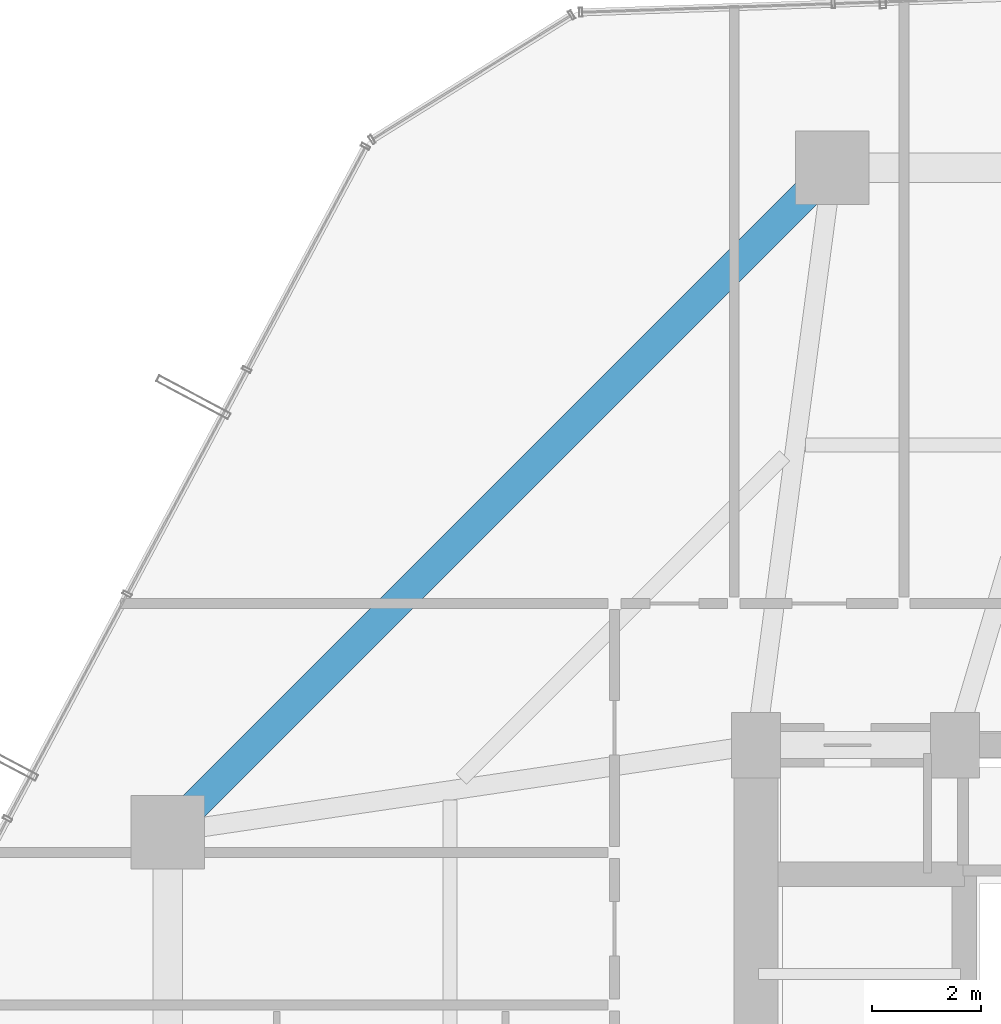
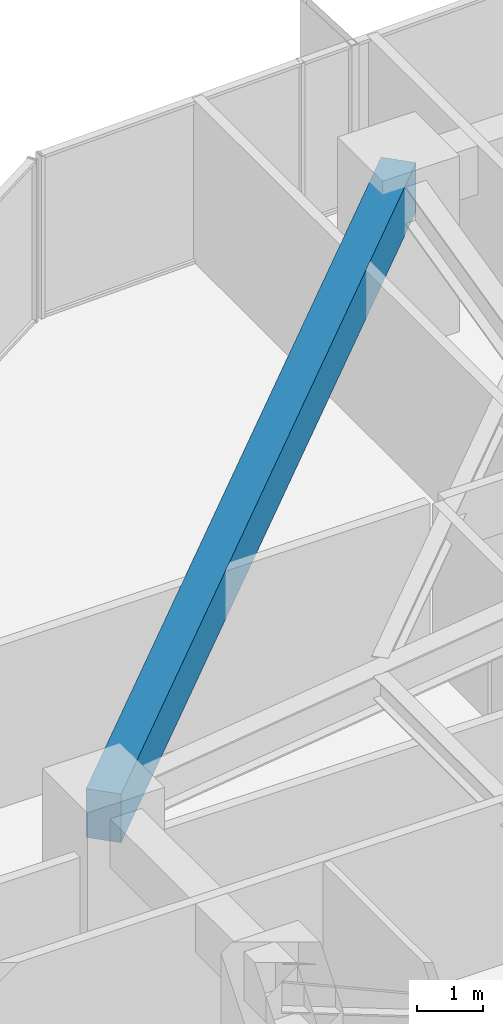
# One storey, part 24 of 39: 1 beam.
"""IFC4 building model written with IfcOpenShell, lengths in metres."""

from ifc_helpers import new_model, si_unit, direction, frame, origin, origin_2d, place, context, subcontext, project, spatial, rectangle, extrude, material, material_profile, profile_set, type_object, element, save


model = new_model("IFC4")

# Units and contexts
model_context = context("Model", 3, precision=1e-05, world=origin(), true_north=direction((0.0, 1.0)))
body_context = subcontext(model_context, "Body", "Model", "MODEL_VIEW")
ifc_project = project(units=[si_unit("LENGTHUNIT", "METRE"), si_unit("AREAUNIT", "SQUARE_METRE"), si_unit("VOLUMEUNIT", "CUBIC_METRE"), si_unit("PLANEANGLEUNIT", "RADIAN"), si_unit("MASSUNIT", "GRAM", prefix="KILO")], contexts=[model_context])

# Site, building, storey
site_placement = place(None, origin())
site = spatial("IfcSite", under=ifc_project, at=site_placement, CompositionType="ELEMENT")
building_placement = place(site_placement, origin())
building = spatial("IfcBuilding", under=site, at=building_placement, Name="Veraguas Prism Commons", CompositionType="ELEMENT")
storey_placement = place(building_placement, frame((0.0, 0.0, 30.550048828125)))
storey = spatial("IfcBuildingStorey", under=building, at=storey_placement, Name="L07", CompositionType="ELEMENT", Elevation=30.550048828125)

# Beam
ifc_material = material(Name="Concrete C50/60", Category="concrete")
ifc_material_profile = material_profile(ifc_material, rectangle(XDim=0.550048828125, YDim=0.89990234375, at=origin_2d()), Name="RC550X900")
ifc_profile_set = profile_set([ifc_material_profile], Name="Concrete C50/60")
beam_type = type_object("IfcBeamType", Name="Perimeter Spandrel Lower RC 550x900", PredefinedType="SPANDREL", material=ifc_profile_set)
beam_placement = place(storey_placement, frame((18.60009765625, 41.60009765625, 2.550048828125), z_axis=(-0.707106781187, -0.707106781187, 0.0), x_axis=(0.707106781187, -0.707106781187, 0.0)))
element("IfcBeam", 1, at=beam_placement, inside=storey, type_object=beam_type, Name="Perimeter Spandrel Beam L07-SP06", PredefinedType="SPANDREL", context=body_context, shape_type="SweptSolid", body=[
    extrude(rectangle(XDim=0.550048828125, YDim=0.89990234375, at=origin_2d()), origin(), (0.0, 0.0, 1.0), 17.253662109375),
])

save(model, "model.ifc")
